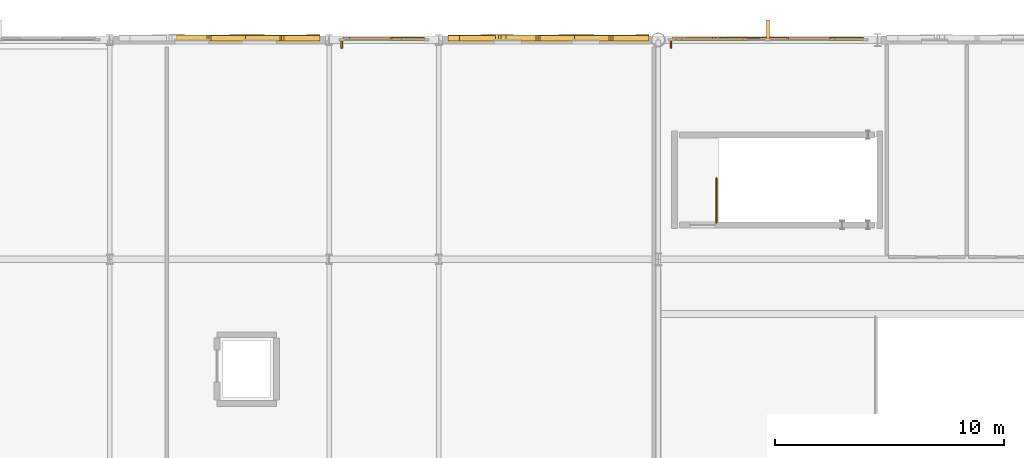
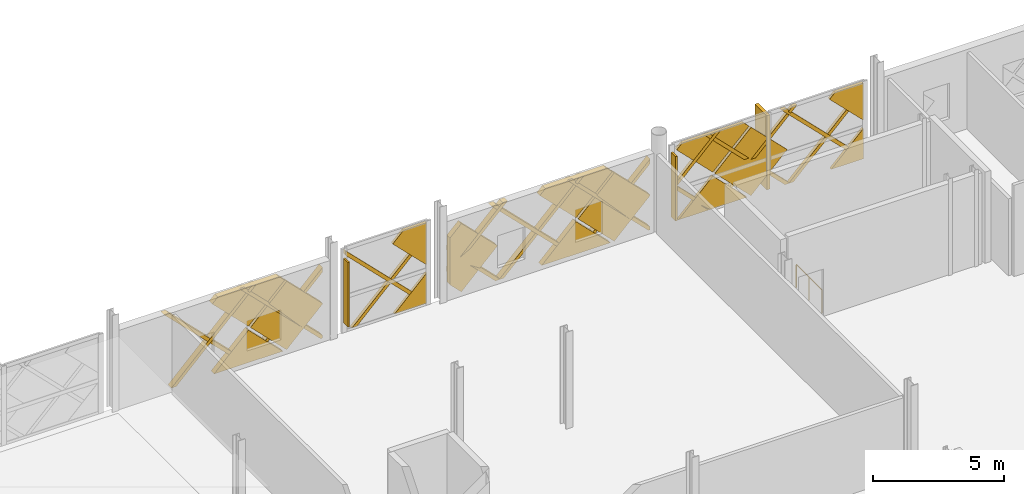
# One storey, part 94 of 101: 33 coverings, 2 shading devices, 1 railing.
"""IFC4 building model written with IfcOpenShell, lengths in metres."""

from ifc_helpers import new_model, si_unit, direction, frame, origin, origin_2d, place, context, subcontext, project, spatial, polyline, rectangle, circle, outline, extrude, material, layer, layer_set, type_object, element, save


model = new_model("IFC4")

# Units and contexts
model_context = context("Model", 3, precision=1e-05, world=origin(), true_north=direction((0.0, 1.0)))
body_context = subcontext(model_context, "Body", "Model", "MODEL_VIEW")
ifc_project = project(units=[si_unit("LENGTHUNIT", "METRE"), si_unit("AREAUNIT", "SQUARE_METRE"), si_unit("VOLUMEUNIT", "CUBIC_METRE"), si_unit("PLANEANGLEUNIT", "RADIAN"), si_unit("MASSUNIT", "GRAM", prefix="KILO")], contexts=[model_context])

# Site, building, storey
site_placement = place(None, origin())
site = spatial("IfcSite", under=ifc_project, at=site_placement, CompositionType="ELEMENT")
building_placement = place(site_placement, origin())
building = spatial("IfcBuilding", under=site, at=building_placement, Name="Zevrakil Square Congress Hotel", CompositionType="ELEMENT")
storey_placement = place(building_placement, frame((0.0, 0.0, 5.39990234375)))
storey = spatial("IfcBuildingStorey", under=building, at=storey_placement, Name="L02", CompositionType="ELEMENT", Elevation=5.39990234375)

# Coverings
ifc_material_1 = material(Name="Architectural White Fibre-C GRC", Category="concrete")
ifc_layer_1 = layer(ifc_material_1, 0.06494140625)
ifc_layer_set_1 = layer_set([ifc_layer_1], Name="Architectural White Fibre-C GRC")
covering_type_1 = type_object("IfcCoveringType", Name="COV-DIA-WHITE", PredefinedType="CLADDING", material=ifc_layer_set_1)
covering_1_placement = place(storey_placement, frame((99.5400390625, 112.9990234375, 1.590087890625), z_axis=(0.0, 0.999999790873, 0.000646725815), x_axis=(-0.707106707249, 0.000457304257, -0.707106707249)))
element("IfcCovering", 1, at=covering_1_placement, inside=storey, type_object=covering_type_1, Name="L02 45-degree white GRC diamond facade cassette 701", PredefinedType="CLADDING", context=body_context, shape_type="SweptSolid", body=[
    extrude(outline(polyline([(0.0, 0.0), (2.1354765131557993, 0.0), (4.465861884739297e-07, -2.1354765131557527), (0.0, 0.0)])), origin(), (0.0, 0.0, -1.0), 0.239990234375),
])
covering_2_placement = place(storey_placement, frame((101.219970703125, 112.998046875, 3.27001953125), z_axis=(0.0, 0.999999812555, 0.000612282088), x_axis=(-0.707161000838, 0.000432915616, -0.707052424844)))
element("IfcCovering", 2, at=covering_2_placement, inside=storey, type_object=covering_type_1, Name="L02 45-degree white GRC diamond facade cassette 702", PredefinedType="CLADDING", context=body_context, shape_type="SweptSolid", body=[
    extrude(outline(polyline([(0.0, 0.0), (2.248551445484592, 0.0), (2.2483792228800303, -2.2487240657380205), (0.013811102109335449, -2.2485525032084603), (-0.000343756005215079, -2.2343954741070595), (0.0, 0.0)])), origin(), (0.0, 0.0, -1.0), 0.239990234375),
])
covering_3_placement = place(storey_placement, frame((97.949951171875, 112.998046875, 3.360107421875), z_axis=(0.0, 0.999999832179, 0.000579346068), x_axis=(0.707106746172, 0.000409659554, -0.707106697534)))
element("IfcCovering", 3, at=covering_3_placement, inside=storey, type_object=covering_type_1, Name="L02 45-degree white GRC diamond facade cassette 704", PredefinedType="CLADDING", context=body_context, shape_type="SweptSolid", body=[
    extrude(outline(polyline([(0.0, 0.0), (2.2487239716392238, 0.0), (2.2485511154520332, -2.2485513381391633), (1.9022482605456785, -2.2485513919470725), (0.00017254537865349362, -0.34647548840639664), (0.0, 0.0)])), origin(), (0.0, 0.0, -1.0), 0.239990234375),
])
covering_4_placement = place(storey_placement, frame((105.969970703125, 112.89501953125, 0.080078125), z_axis=(0.0, 0.999999760125, 0.000692640526), x_axis=(1.0, 0.0, 0.0)))
element("IfcCovering", 4, at=covering_4_placement, inside=storey, type_object=covering_type_1, Name="L02 45-degree white GRC diamond facade cassette 722", PredefinedType="CLADDING", context=body_context, shape_type="SweptSolid", body=[
    extrude(outline(polyline([(0.0, 0.0), (1.409912109375, 0.0), (1.409912109375, -1.4099124475784228), (0.0, 0.0)])), origin(), (0.0, 0.0, -1.0), 0.1201171875),
])
covering_5_placement = place(storey_placement, frame((105.889892578125, 112.89306640625, 3.360107421875), z_axis=(0.000111304187, 0.999999763503, 0.000678679379), x_axis=(0.707106745454, 0.000401194892, -0.707106703105)))
element("IfcCovering", 5, at=covering_5_placement, inside=storey, type_object=covering_type_1, Name="L02 45-degree white GRC diamond facade cassette 723", PredefinedType="CLADDING", context=body_context, shape_type="SweptSolid", body=[
    extrude(outline(polyline([(0.0, 0.0), (2.107164521518709, 0.0), (0.7176372121281568, -1.3895271683902468), (-1.7577566047144444e-07, -0.6718897168484332), (0.0, 0.0)])), origin(), (0.0, 0.0, -1.0), 0.1201171875),
])
covering_6_placement = place(storey_placement, frame((113.93994140625, 112.9990234375, 1.590087890625), z_axis=(0.0, 0.999999790873, 0.000646725815), x_axis=(-0.707106707249, 0.000457304257, -0.707106707249)))
element("IfcCovering", 6, at=covering_6_placement, inside=storey, type_object=covering_type_1, Name="L02 45-degree white GRC diamond facade cassette 731", PredefinedType="CLADDING", context=body_context, shape_type="SweptSolid", body=[
    extrude(outline(polyline([(0.0, 0.0), (2.1354765131557993, 0.0), (4.465861884739297e-07, -2.1354765131557527), (0.0, 0.0)])), origin(), (0.0, 0.0, -1.0), 0.239990234375),
])
covering_7_placement = place(storey_placement, frame((115.6201171875, 112.998046875, 3.27001953125), z_axis=(0.0, 0.999999812555, 0.000612282237), x_axis=(-0.707161000838, 0.000432915721, -0.707052424844)))
element("IfcCovering", 7, at=covering_7_placement, inside=storey, type_object=covering_type_1, Name="L02 45-degree white GRC diamond facade cassette 732", PredefinedType="CLADDING", context=body_context, shape_type="SweptSolid", body=[
    extrude(outline(polyline([(0.0, 0.0), (2.2485514454845923, 0.0), (2.248379222880032, -2.2487240657380214), (0.013983748838055643, -2.248379882955194), (-0.0001711092764935529, -2.234222853853795), (0.0, 0.0)])), origin(), (0.0, 0.0, -1.0), 0.239990234375),
])
covering_8_placement = place(storey_placement, frame((108.89990234375, 113.0, 0.090087890625), z_axis=(-8.4603528e-05, 0.999999812462, 0.000606562842), x_axis=(0.707106710496, -0.00036908103, 0.707106755555)))
element("IfcCovering", 8, at=covering_8_placement, inside=storey, type_object=covering_type_1, Name="L02 45-degree white GRC diamond facade cassette 733", PredefinedType="CLADDING", context=body_context, shape_type="SweptSolid", body=[
    extrude(outline(polyline([(0.0, 0.0), (2.2487240675562994, 0.0), (2.2485518661498842, -2.248551435566648), (1.5414450430169933, -2.2485514663260036), (2.0274496120853414e-07, -0.7071069353752842), (0.0, 0.0)])), origin(), (0.0, 0.0, -1.0), 0.239990234375),
])
covering_9_placement = place(storey_placement, frame((112.35009765625, 112.998046875, 3.360107421875), z_axis=(0.0, 0.999999832179, 0.000579346068), x_axis=(0.707052455657, 0.000409691004, -0.707160983866)))
element("IfcCovering", 9, at=covering_9_placement, inside=storey, type_object=covering_type_1, Name="L02 45-degree white GRC diamond facade cassette 734", PredefinedType="CLADDING", context=body_context, shape_type="SweptSolid", body=[
    extrude(outline(polyline([(0.0, 0.0), (2.2485513447832775, -2.220446049250313e-16), (2.248378475325489, -2.2487239649946003), (1.901903001207207, -2.248524784497797), (-2.6675655460328684e-05, -0.346302853878948), (0.0, 0.0)])), origin(), (0.0, 0.0, -1.0), 0.239990234375),
])
covering_10_placement = place(storey_placement, frame((125.169921875, 112.89501953125, 0.080078125), z_axis=(0.0, 0.999999760125, 0.000692640526), x_axis=(1.0, 0.0, 0.0)))
element("IfcCovering", 10, at=covering_10_placement, inside=storey, type_object=covering_type_1, Name="L02 45-degree white GRC diamond facade cassette 752", PredefinedType="CLADDING", context=body_context, shape_type="SweptSolid", body=[
    extrude(outline(polyline([(0.0, 0.0), (1.41015625, 0.0), (1.41015625, -1.4099124475784226), (0.0, 0.0)])), origin(), (0.0, 0.0, -1.0), 0.1201171875),
])
covering_11_placement = place(storey_placement, frame((119.9599609375, 112.89404296875, 1.590087890625), z_axis=(0.0, 0.999999790873, 0.000646725815), x_axis=(-0.707106707249, 0.000457304257, -0.707106707249)))
element("IfcCovering", 11, at=covering_11_placement, inside=storey, type_object=covering_type_1, Name="L02 45-degree white GRC diamond facade cassette 753", PredefinedType="CLADDING", context=body_context, shape_type="SweptSolid", body=[
    extrude(outline(polyline([(0.0, 0.0), (2.1354765131557993, 0.0), (4.465861884739297e-07, -2.1354765131557527), (0.0, 0.0)])), origin(), (0.0, 0.0, -1.0), 0.1201171875),
])
covering_12_placement = place(storey_placement, frame((121.639892578125, 112.89306640625, 3.27001953125), z_axis=(0.0, 0.999999811377, 0.000614203339), x_axis=(-0.707106714488, 0.000434307387, -0.707106714509)))
element("IfcCovering", 12, at=covering_12_placement, inside=storey, type_object=covering_type_1, Name="L02 45-degree white GRC diamond facade cassette 754", PredefinedType="CLADDING", context=body_context, shape_type="SweptSolid", body=[
    extrude(outline(polyline([(0.0, 0.0), (2.2483788053845455, -2.220446049250313e-16), (2.2485518630206376, -2.24855143882716), (-0.00017220931434658304, -2.2485514388922905), (0.0, 0.0)])), origin(), (0.0, 0.0, -1.0), 0.1201171875),
])
covering_13_placement = place(storey_placement, frame((125.090087890625, 112.89306640625, 3.360107421875), z_axis=(6.3815884e-05, 0.999999812703, 0.000608705356), x_axis=(0.707106741381, 0.000385295076, -0.707106716021)))
element("IfcCovering", 13, at=covering_13_placement, inside=storey, type_object=covering_type_1, Name="L02 45-degree white GRC diamond facade cassette 755", PredefinedType="CLADDING", context=body_context, shape_type="SweptSolid", body=[
    extrude(outline(polyline([(0.0, 0.0), (2.1071645230484313, 0.0), (0.8804306692339328, -1.2267337135237), (-8.785623831220057e-08, -0.3463028608930553), (0.0, 0.0)])), origin(), (0.0, 0.0, -1.0), 0.1201171875),
])
covering_14_placement = place(storey_placement, frame((118.3701171875, 112.89306640625, 3.360107421875), z_axis=(0.0, 0.999999832179, 0.000579346068), x_axis=(0.707052455657, 0.000409691004, -0.707160983866)))
element("IfcCovering", 14, at=covering_14_placement, inside=storey, type_object=covering_type_1, Name="L02 45-degree white GRC diamond facade cassette 756", PredefinedType="CLADDING", context=body_context, shape_type="SweptSolid", body=[
    extrude(outline(polyline([(0.0, 0.0), (2.2485513447832775, -2.220446049250313e-16), (2.248378475325489, -2.2487239649946003), (1.901903001207207, -2.248524784497797), (-2.6675655460328684e-05, -0.346302853878948), (0.0, 0.0)])), origin(), (0.0, 0.0, -1.0), 0.1201171875),
])
ifc_material_2 = material(Name="Anodised Champagne Aluminium", Category="aluminium")
ifc_layer_2 = layer(ifc_material_2, 0.0849609375)
ifc_layer_set_2 = layer_set([ifc_layer_2], Name="Anodised Champagne Aluminium")
covering_type_2 = type_object("IfcCoveringType", Name="COV-DIAGRID-45", PredefinedType="MOLDING", material=ifc_layer_set_2)
covering_15_placement = place(storey_placement, frame((102.7138671875, 113.02490234375, 0.080078125), z_axis=(-0.000187311957, 0.999999884449, 0.000442737353), x_axis=(0.999999982457, 0.000187311939, 8.293e-08)))
element("IfcCovering", 15, at=covering_15_placement, inside=storey, type_object=covering_type_2, Name="L02 45-degree aluminium diagrid rib 705", PredefinedType="MOLDING", context=body_context, shape_type="SweptSolid", body=[
    extrude(outline(polyline([(0.0, 0.0), (0.0861816391131254, 2.2812090330563966e-24), (0.08618164958060848, -0.12622069075433734), (-3.312744201763839, -3.524902971092284), (-3.5249024011669716, -3.524902971092284), (0.0, 0.0)])), origin(), (0.0, 0.0, -1.0), 0.264892578125),
])
covering_16_placement = place(storey_placement, frame((99.35400390625, 113.02490234375, 0.080078125), z_axis=(0.0, 0.999999805714, 0.000623354914), x_axis=(1.0, 0.0, 0.0)))
element("IfcCovering", 16, at=covering_16_placement, inside=storey, type_object=covering_type_2, Name="L02 45-degree aluminium diagrid rib 706", PredefinedType="MOLDING", context=body_context, shape_type="SweptSolid", body=[
    extrude(outline(polyline([(0.0, 0.0), (0.212158203125, 0.0), (-3.31298828125, -3.5249030285882292), (-3.525146484375, -3.5249030285882292), (0.0, 0.0)])), origin(), (0.0, 0.0, -1.0), 0.264892578125),
])
covering_17_placement = place(storey_placement, frame((102.800048828125, 113.023193359375, 3.154052734375), z_axis=(-0.000287477056, 0.99999958606, 0.000863270454), x_axis=(-8.2643e-08, -0.000863270513, 0.999999627382)))
element("IfcCovering", 17, at=covering_17_placement, inside=storey, type_object=covering_type_2, Name="L02 45-degree aluminium diagrid rib 708", PredefinedType="MOLDING", context=body_context, shape_type="SweptSolid", body=[
    extrude(outline(polyline([(0.0, 0.0), (0.21215833483042407, 1.3234889800848443e-23), (-3.0739746676964605, -3.286133202330571), (-3.073974685229852, -3.0739750079722734), (0.0, 0.0)])), origin(), (0.0, 0.0, -1.0), 0.264892578125),
])
covering_18_placement = place(storey_placement, frame((99.89111328125, 113.022705078125, 3.60498046875), z_axis=(0.0, 0.999999805714, 0.000623354914), x_axis=(-1.0, 0.0, 0.0)))
element("IfcCovering", 18, at=covering_18_placement, inside=storey, type_object=covering_type_2, Name="L02 45-degree aluminium diagrid rib 709", PredefinedType="MOLDING", context=body_context, shape_type="SweptSolid", body=[
    extrude(outline(polyline([(0.0, 0.0), (0.212158203125, 0.0), (3.7373046875, -3.524903028588229), (3.52490234375, -3.524903028588229), (0.0, 0.0)])), origin(), (0.0, 0.0, -1.0), 0.264892578125),
])
covering_19_placement = place(storey_placement, frame((107.2939453125, 112.919921875, 0.080078125), z_axis=(0.000104053155, 0.999999756628, 0.000689867662), x_axis=(0.999999994586, -0.000104053131, -7.1783e-08)))
element("IfcCovering", 19, at=covering_19_placement, inside=storey, type_object=covering_type_2, Name="L02 45-degree aluminium diagrid rib 724", PredefinedType="MOLDING", context=body_context, shape_type="SweptSolid", body=[
    extrude(outline(polyline([(0.0, 0.0), (0.08593749953477481, 1.137373342260413e-24), (0.08593749047428577, -0.1262206730896823), (-3.4738769702810175, -3.6860357949482765), (-3.473876980455281, -3.4738774738834497), (0.0, 0.0)])), origin(), (0.0, 0.0, -1.0), 0.14501953125),
])
covering_20_placement = place(storey_placement, frame((107.3798828125, 112.918212890625, 3.154052734375), z_axis=(-0.000287488092, 0.999999586067, 0.000863259418), x_axis=(-8.2649e-08, -0.000863259477, 0.999999627391)))
element("IfcCovering", 20, at=covering_20_placement, inside=storey, type_object=covering_type_2, Name="L02 45-degree aluminium diagrid rib 725", PredefinedType="MOLDING", context=body_context, shape_type="SweptSolid", body=[
    extrude(outline(polyline([(0.0, 0.0), (0.212158334829751, 1.3234889800848443e-23), (-3.0739746677062127, -3.2858890617254115), (-3.073974685240951, -3.0737308673677872), (0.0, 0.0)])), origin(), (0.0, 0.0, -1.0), 0.14501953125),
])
covering_21_placement = place(storey_placement, frame((117.114013671875, 113.02490234375, 0.080078125), z_axis=(-0.000187420889, 0.999999884475, 0.000442632313), x_axis=(0.999999982437, 0.000187420871, 8.2959e-08)))
element("IfcCovering", 21, at=covering_21_placement, inside=storey, type_object=covering_type_2, Name="L02 45-degree aluminium diagrid rib 735", PredefinedType="MOLDING", context=body_context, shape_type="SweptSolid", body=[
    extrude(outline(polyline([(0.0, 0.0), (0.08593749849065434, 0.0), (0.08593750896174, -0.12622069076020653), (-3.3129883424556827, -3.5249029710253903), (-3.5251465418544856, -3.5249029710253903), (0.0, 0.0)])), origin(), (0.0, 0.0, -1.0), 0.264892578125),
])
covering_22_placement = place(storey_placement, frame((113.75390625, 113.02490234375, 0.080078125), z_axis=(0.0, 0.999999805714, 0.000623354914), x_axis=(1.0, 0.0, 0.0)))
element("IfcCovering", 22, at=covering_22_placement, inside=storey, type_object=covering_type_2, Name="L02 45-degree aluminium diagrid rib 736", PredefinedType="MOLDING", context=body_context, shape_type="SweptSolid", body=[
    extrude(outline(polyline([(0.0, 0.0), (0.212158203125, 0.0), (-3.312744140625, -3.5249030285882292), (-3.52490234375, -3.5249030285882292), (0.0, 0.0)])), origin(), (0.0, 0.0, -1.0), 0.264892578125),
])
covering_23_placement = place(storey_placement, frame((110.393798828125, 113.02490234375, 0.080078125), z_axis=(-0.000290471383, 0.999999915529, 0.000290805643), x_axis=(0.999999957813, 0.000290471371, 8.4471e-08)))
element("IfcCovering", 23, at=covering_23_placement, inside=storey, type_object=covering_type_2, Name="L02 45-degree aluminium diagrid rib 737", PredefinedType="MOLDING", context=body_context, shape_type="SweptSolid", body=[
    extrude(outline(polyline([(0.0, 0.0), (0.212402334789422, -2.81112161297318e-24), (-1.993896568491142, -2.206054949206632), (-1.9938965864122986, -1.9938967550525222), (0.0, 0.0)])), origin(), (0.0, 0.0, -1.0), 0.264892578125),
])
covering_24_placement = place(storey_placement, frame((117.199951171875, 113.023193359375, 3.154052734375), z_axis=(-0.000287317256, 0.999999586254, 0.000863099624), x_axis=(-8.2646e-08, -0.000863099684, 0.999999627529)))
element("IfcCovering", 24, at=covering_24_placement, inside=storey, type_object=covering_type_2, Name="L02 45-degree aluminium diagrid rib 738", PredefinedType="MOLDING", context=body_context, shape_type="SweptSolid", body=[
    extrude(outline(polyline([(0.0, 0.0), (0.212158334820002, 0.0), (-3.0739746678474664, -3.286133202189314), (-3.0739746854017027, -3.07373086720635), (0.0, 0.0)])), origin(), (0.0, 0.0, -1.0), 0.264892578125),
])
covering_25_placement = place(storey_placement, frame((114.291015625, 113.022705078125, 3.60498046875), z_axis=(0.0, 0.999999805714, 0.000623354914), x_axis=(-1.0, 0.0, 0.0)))
element("IfcCovering", 25, at=covering_25_placement, inside=storey, type_object=covering_type_2, Name="L02 45-degree aluminium diagrid rib 739", PredefinedType="MOLDING", context=body_context, shape_type="SweptSolid", body=[
    extrude(outline(polyline([(0.0, 0.0), (0.212158203125, 0.0), (3.737060546875, -3.5249030285882292), (3.52490234375, -3.5249030285882292), (0.0, 0.0)])), origin(), (0.0, 0.0, -1.0), 0.264892578125),
])
covering_26_placement = place(storey_placement, frame((110.93115234375, 113.022705078125, 3.60498046875), z_axis=(-0.000248152734, 0.999999561871, 0.000902594748), x_axis=(-0.99999996921, -0.000248152633, -2.23981e-07)))
element("IfcCovering", 26, at=covering_26_placement, inside=storey, type_object=covering_type_2, Name="L02 45-degree aluminium diagrid rib 740", PredefinedType="MOLDING", context=body_context, shape_type="SweptSolid", body=[
    extrude(outline(polyline([(0.0, 0.0), (0.2121581965926722, 0.0), (2.531250077936912, -2.318848033853816), (2.531250064872256, -2.531006370918612), (0.0, 0.0)])), origin(), (0.0, 0.0, -1.0), 0.264892578125),
])
covering_27_placement = place(storey_placement, frame((126.493896484375, 112.919921875, 0.080078125), z_axis=(-0.000187311957, 0.999999884449, 0.000442737353), x_axis=(0.999999982457, 0.000187311939, 8.293e-08)))
element("IfcCovering", 27, at=covering_27_placement, inside=storey, type_object=covering_type_2, Name="L02 45-degree aluminium diagrid rib 757", PredefinedType="MOLDING", context=body_context, shape_type="SweptSolid", body=[
    extrude(outline(polyline([(0.0, 0.0), (0.0861816391131254, 2.2812090330563966e-24), (0.08618164958060848, -0.12622069075433734), (-3.312744201763839, -3.524902971092284), (-3.5249024011669716, -3.524902971092284), (0.0, 0.0)])), origin(), (0.0, 0.0, -1.0), 0.14501953125),
])
covering_28_placement = place(storey_placement, frame((123.1337890625, 112.919921875, 0.080078125), z_axis=(0.0, 0.999999805714, 0.000623354914), x_axis=(1.0, 0.0, 0.0)))
element("IfcCovering", 28, at=covering_28_placement, inside=storey, type_object=covering_type_2, Name="L02 45-degree aluminium diagrid rib 758", PredefinedType="MOLDING", context=body_context, shape_type="SweptSolid", body=[
    extrude(outline(polyline([(0.0, 0.0), (0.21240234375, 0.0), (-3.312744140625, -3.524903028588229), (-3.52490234375, -3.524903028588229), (0.0, 0.0)])), origin(), (0.0, 0.0, -1.0), 0.14501953125),
])
covering_29_placement = place(storey_placement, frame((119.77392578125, 112.919921875, 0.080078125), z_axis=(-0.000294139249, 0.999999913482, 0.000294139249), x_axis=(0.999999956741, 0.000294139237, 8.6518e-08)))
element("IfcCovering", 29, at=covering_29_placement, inside=storey, type_object=covering_type_2, Name="L02 45-degree aluminium diagrid rib 759", PredefinedType="MOLDING", context=body_context, shape_type="SweptSolid", body=[
    extrude(outline(polyline([(0.0, 0.0), (0.2121581939472589, 0.0), (-1.553955145347468, -1.7661134920951609), (-1.5539551637029505, -1.5539552981479028), (0.0, 0.0)])), origin(), (0.0, 0.0, -1.0), 0.14501953125),
])
covering_30_placement = place(storey_placement, frame((126.580078125, 112.918212890625, 3.154052734375), z_axis=(-0.000287477056, 0.99999958606, 0.000863270454), x_axis=(-8.2643e-08, -0.000863270513, 0.999999627382)))
element("IfcCovering", 30, at=covering_30_placement, inside=storey, type_object=covering_type_2, Name="L02 45-degree aluminium diagrid rib 760", PredefinedType="MOLDING", context=body_context, shape_type="SweptSolid", body=[
    extrude(outline(polyline([(0.0, 0.0), (0.21215833483042407, 1.3234889800848443e-23), (-3.0739746676964605, -3.286133202330571), (-3.073974685229852, -3.0739750079722734), (0.0, 0.0)])), origin(), (0.0, 0.0, -1.0), 0.14501953125),
])
covering_31_placement = place(storey_placement, frame((123.671142578125, 112.917724609375, 3.60498046875), z_axis=(0.0, 0.999999805714, 0.000623354914), x_axis=(-1.0, 0.0, 0.0)))
element("IfcCovering", 31, at=covering_31_placement, inside=storey, type_object=covering_type_2, Name="L02 45-degree aluminium diagrid rib 761", PredefinedType="MOLDING", context=body_context, shape_type="SweptSolid", body=[
    extrude(outline(polyline([(0.0, 0.0), (0.212158203125, 0.0), (3.7373046875, -3.5249030285882292), (3.525146484375, -3.5249030285882292), (0.0, 0.0)])), origin(), (0.0, 0.0, -1.0), 0.14501953125),
])
covering_32_placement = place(storey_placement, frame((120.31103515625, 112.917724609375, 3.60498046875), z_axis=(-0.000236587851, 0.999999555129, 0.000913108865), x_axis=(-0.999999972013, -0.000236587752, -2.1603e-07)))
element("IfcCovering", 32, at=covering_32_placement, inside=storey, type_object=covering_type_2, Name="L02 45-degree aluminium diagrid rib 762", PredefinedType="MOLDING", context=body_context, shape_type="SweptSolid", body=[
    extrude(outline(polyline([(0.0, 0.0), (0.21215819718734832, -5.6157808774107894e-24), (2.091064511647426, -1.878662440825683), (2.091064499772122, -2.0910649189555177), (0.0, 0.0)])), origin(), (0.0, 0.0, -1.0), 0.14501953125),
])
ifc_material_3 = material(Name="Architectural White Fibre-C GRC", Category="concrete")
ifc_layer_3 = layer(ifc_material_3, 0.139892578125)
ifc_layer_set_3 = layer_set([ifc_layer_3], Name="Architectural White Fibre-C GRC")
covering_type_3 = type_object("IfcCoveringType", Name="COV-FIN-GRC90", PredefinedType="MOLDING", material=ifc_layer_set_3)
covering_33_placement = place(storey_placement, frame((122.39990234375, 113.219970703125, 0.1201171875), z_axis=(0.0, 0.0, 1.0), x_axis=(0.0, 1.0, 0.0)))
element("IfcCovering", 33, at=covering_33_placement, inside=storey, type_object=covering_type_3, Name="L02 highland sun-breaker GRC fin 763", PredefinedType="MOLDING", context=body_context, shape_type="SweptSolid", body=[
    extrude(rectangle(XDim=0.89990234375, YDim=0.139892578125, at=origin_2d()), origin(), (0.0, 0.0, 1.0), 3.445068359375),
])

# Railing
ifc_material_4 = material(Name="Steel S355", Category="steel")
railing_type = type_object("IfcRailingType", Name="RLG-STAIR-GUARD-1100", PredefinedType="BALUSTRADE", material=ifc_material_4)
railing_placement = place(storey_placement, frame((120.14990234375, 104.800048828125, 0.0)))
element("IfcRailing", 34, at=railing_placement, inside=storey, type_object=railing_type, Name="L02 ST11 top well guard 1", PredefinedType="BALUSTRADE", context=body_context, shape_type="SweptSolid", body=[
    extrude(circle(Radius=0.02392578125, at=origin_2d()), frame((0.0, 0.0, 1.076171875), z_axis=(0.0, 1.0, 0.0), x_axis=(-1.0, 0.0, 0.0)), (0.0, 0.0, 1.0), 1.949951171875),
    extrude(circle(Radius=0.02099609375, at=origin_2d()), origin(), (0.0, 0.0, 1.0), 1.052001953125),
    extrude(circle(Radius=0.02099609375, at=origin_2d()), frame((0.0, 0.97509765625, 0.0)), (0.0, 0.0, 1.0), 1.052001953125),
    extrude(circle(Radius=0.02099609375, at=origin_2d()), frame((0.0, 1.949951171875, 0.0)), (0.0, 0.0, 1.0), 1.052001953125),
])

# Shading devices
ifc_material_5 = material(Name="Aluminium Anodised Bronze", Category="aluminium")
shading_device_type = type_object("IfcShadingDeviceType", Name="SHD-FIN-35", PredefinedType="JALOUSIE", material=ifc_material_5)
for number, where, z_axis, x_axis, name in (
    (35, (103.760009765625, 112.60498046875, 0.45751953125), (0.0, 0.0, 1.0), (0.0, -1.0, 0.0), "L02 aluminium solar shading fin 43"),
    (36, (118.159912109375, 112.60498046875, 0.342529296875), (0.0, 0.0, 1.0), (0.0, -1.0, 0.0), "L02 aluminium solar shading fin 45"),
):
    element("IfcShadingDevice", number, at=place(storey_placement, frame(where, z_axis=z_axis, x_axis=x_axis)), inside=storey, type_object=shading_device_type, Name=name, PredefinedType="JALOUSIE", context=body_context, shape_type="SweptSolid", body=[
        extrude(rectangle(XDim=0.35009765625, YDim=0.080078125, at=origin_2d()), origin(), (0.0, 0.0, 1.0), 3.0),
    ])

save(model, "model.ifc")
